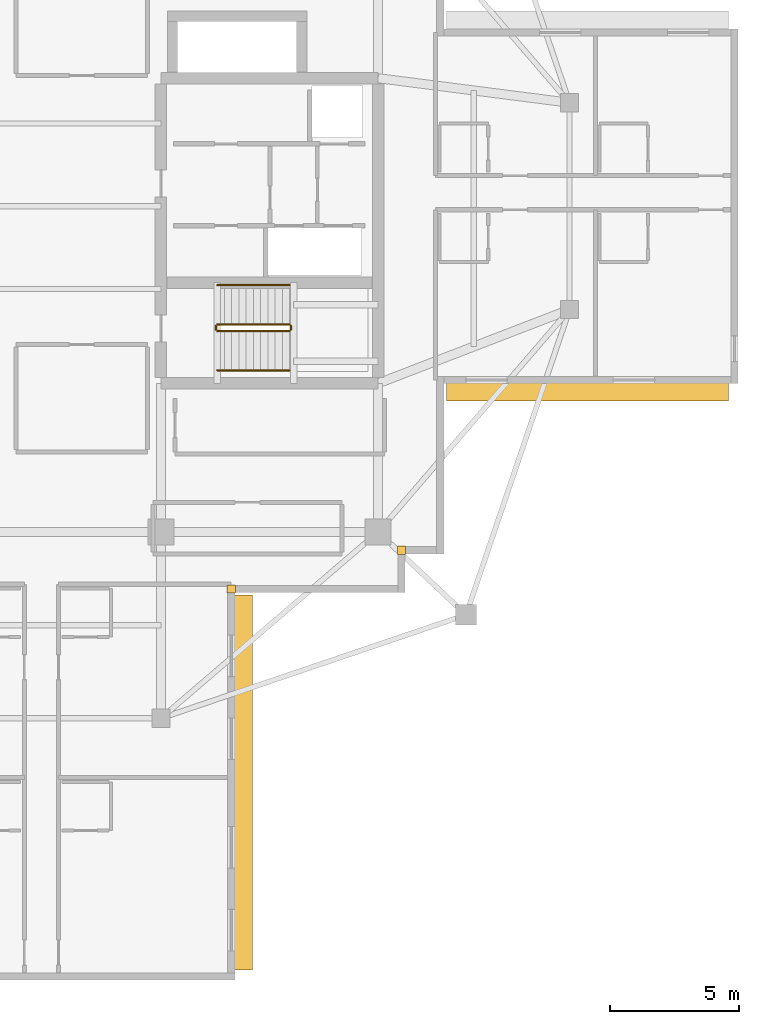
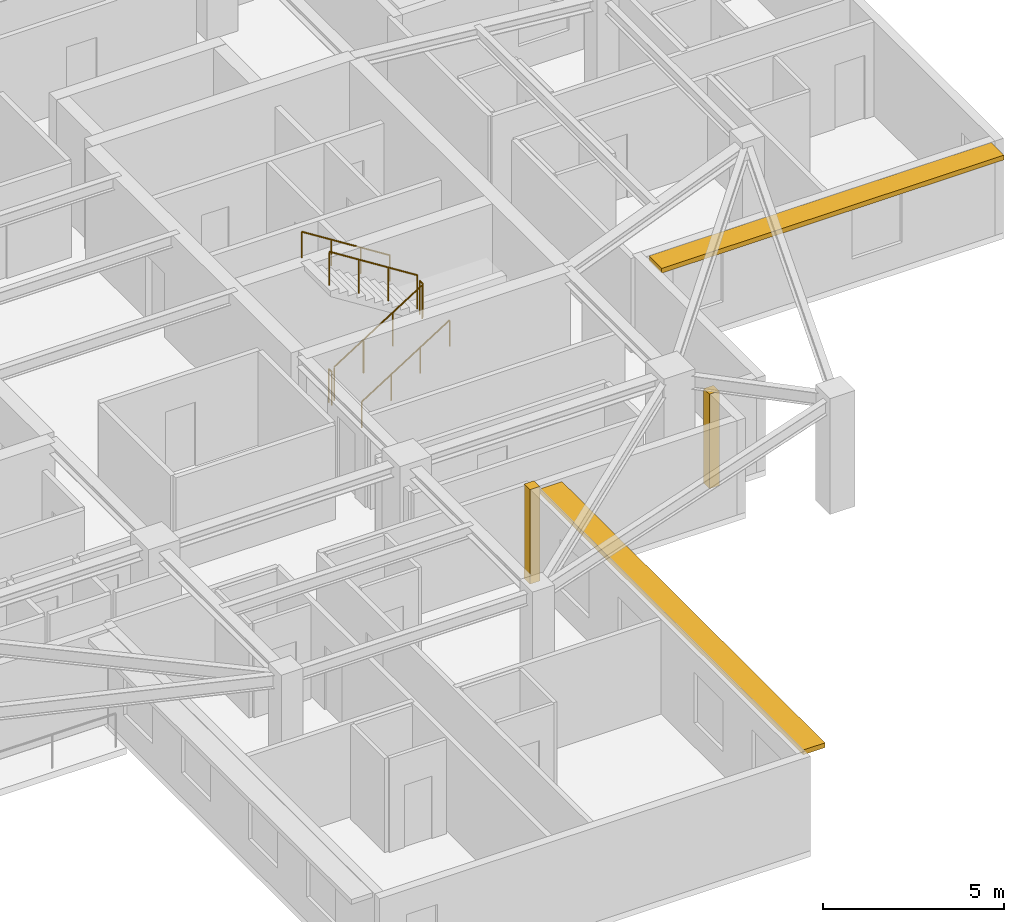
# One storey, part 10 of 12: 6 railings, 2 coverings, 2 shading devices.
"""IFC4 building model written with IfcOpenShell, lengths in metres."""

from ifc_helpers import new_model, si_unit, direction, frame, origin, origin_2d, place, context, subcontext, project, spatial, rectangle, circle, extrude, material, layer, layer_set, type_object, element, save


model = new_model("IFC4")

# Units and contexts
model_context = context("Model", 3, precision=1e-05, world=origin(), true_north=direction((0.0, 1.0)))
body_context = subcontext(model_context, "Body", "Model", "MODEL_VIEW")
ifc_project = project(units=[si_unit("LENGTHUNIT", "METRE"), si_unit("AREAUNIT", "SQUARE_METRE"), si_unit("VOLUMEUNIT", "CUBIC_METRE"), si_unit("PLANEANGLEUNIT", "RADIAN"), si_unit("MASSUNIT", "GRAM", prefix="KILO")], contexts=[model_context])

# Site, building, storey
site_placement = place(None, origin())
site = spatial("IfcSite", under=ifc_project, at=site_placement, CompositionType="ELEMENT")
building_placement = place(site_placement, origin())
building = spatial("IfcBuilding", under=site, at=building_placement, Name="Qingluan Cross Belvedere", CompositionType="ELEMENT")
storey_placement = place(building_placement, frame((0.0, 0.0, 265.5)))
storey = spatial("IfcBuildingStorey", under=building, at=storey_placement, Name="L66", CompositionType="ELEMENT", Elevation=265.5)

# Coverings
ifc_material_1 = material(Name="Precast concrete C45", Category="concrete")
ifc_layer_1 = layer(ifc_material_1, 0.1201171875, Name="ConcreteSpandrelCladding_120")
ifc_layer_set_1 = layer_set([ifc_layer_1], Name="Precast concrete C45")
covering_type = type_object("IfcCoveringType", Name="ConcreteSpandrelCladding_120", PredefinedType="CLADDING", material=ifc_layer_set_1)
for number, where, z_axis, x_axis, name in (
    (1, (13.300048828125, -13.300048828125, 0.0), (0.0, 0.0, 1.0), (1.0, 0.0, 0.0), "Corner closure L66-SE1"),
    (2, (6.719970703125, -14.800048828125, 0.0), (0.0, 0.0, 1.0), (1.0, 0.0, 0.0), "Corner closure L66-SE2"),
):
    element("IfcCovering", number, at=place(storey_placement, frame(where, z_axis=z_axis, x_axis=x_axis)), inside=storey, type_object=covering_type, Name=name, PredefinedType="CLADDING", context=body_context, shape_type="SweptSolid", body=[
        extrude(rectangle(XDim=0.320068359375, YDim=0.320068359375, at=origin_2d()), origin(), (0.0, 0.0, 1.0), 3.179931640625),
    ])

# Shading devices
ifc_material_2 = material(Name="Precast concrete C45", Category="concrete")
ifc_layer_2 = layer(ifc_material_2, 0.139892578125, Name="ConcreteSunshadeBand_700")
ifc_layer_set_2 = layer_set([ifc_layer_2], Name="Precast concrete C45")
shading_device_type = type_object("IfcShadingDeviceType", Name="ConcreteSunshadeBand_700", PredefinedType="USERDEFINED", material=ifc_layer_set_2)
shading_device_1_placement = place(storey_placement, frame((20.489990234375, -7.18994140625, 3.0), z_axis=(0.0, 0.0, 1.0), x_axis=(1.0, 0.0, 0.0)))
element("IfcShadingDevice", 3, at=shading_device_1_placement, inside=storey, type_object=shading_device_type, Name="Concrete SUNSHADE L66-EA", ObjectType="SUNSHADE", PredefinedType="USERDEFINED", context=body_context, shape_type="SweptSolid", body=[
    extrude(rectangle(XDim=10.89990234375, YDim=0.699951171875, at=origin_2d()), origin(), (0.0, 0.0, 1.0), 0.159912109375),
])
shading_device_2_placement = place(storey_placement, frame((7.18994140625, -22.2900390625, 3.0), z_axis=(0.0, 0.0, 1.0), x_axis=(0.0, 1.0, 0.0)))
element("IfcShadingDevice", 4, at=shading_device_2_placement, inside=storey, type_object=shading_device_type, Name="Concrete SUNSHADE L66-SB", ObjectType="SUNSHADE", PredefinedType="USERDEFINED", context=body_context, shape_type="SweptSolid", body=[
    extrude(rectangle(XDim=14.5, YDim=0.699951171875, at=origin_2d()), origin(), (0.0, 0.0, 1.0), 0.159912109375),
])

# Railings
ifc_material_3 = material(Name="Brushed stainless steel tubular handrail", Category="steel")
railing_type_1 = type_object("IfcRailingType", Name="StairPitchHandrail_900", PredefinedType="HANDRAIL", material=ifc_material_3)
railing_1_placement = place(storey_placement, frame((6.179931640625, -6.35009765625, 0.17724609375)))
element("IfcRailing", 5, at=railing_1_placement, inside=storey, type_object=railing_type_1, Name="L66 ST2 stair handrail 1", PredefinedType="HANDRAIL", context=body_context, shape_type="SweptSolid", body=[
    extrude(circle(Radius=0.02392578125, at=origin_2d()), frame((0.0, 0.0, 0.8759765625), z_axis=(0.844908973607, 0.0, 0.534910110503), x_axis=(0.0, 1.0, 0.0)), (0.0, 0.0, 1.0), 3.31396484375),
    extrude(circle(Radius=0.02099609375, at=origin_2d()), origin(), (0.0, 0.0, 1.0), 0.851806640625),
    extrude(circle(Radius=0.02099609375, at=origin_2d()), frame((0.933349609375, 0.0, 0.5908203125)), (0.0, 0.0, 1.0), 0.851806640625),
    extrude(circle(Radius=0.02099609375, at=origin_2d()), frame((1.86669921875, 0.0, 1.181884765625)), (0.0, 0.0, 1.0), 0.851806640625),
    extrude(circle(Radius=0.02099609375, at=origin_2d()), frame((2.800048828125, 0.0, 1.772705078125)), (0.0, 0.0, 1.0), 0.851806640625),
])
railing_2_placement = place(storey_placement, frame((8.97998046875, -3.050048828125, 2.127197265625)))
element("IfcRailing", 6, at=railing_2_placement, inside=storey, type_object=railing_type_1, Name="L66 ST2 stair handrail 2", PredefinedType="HANDRAIL", context=body_context, shape_type="SweptSolid", body=[
    extrude(circle(Radius=0.02392578125, at=origin_2d()), frame((0.0, 0.0, 0.8759765625), z_axis=(-0.844908973607, 0.0, 0.534910110503), x_axis=(0.0, -1.0, 0.0)), (0.0, 0.0, 1.0), 3.31396484375),
    extrude(circle(Radius=0.02099609375, at=origin_2d()), origin(), (0.0, 0.0, 1.0), 0.851806640625),
    extrude(circle(Radius=0.02099609375, at=origin_2d()), frame((-0.933349609375, 0.0, 0.5908203125)), (0.0, 0.0, 1.0), 0.851806640625),
    extrude(circle(Radius=0.02099609375, at=origin_2d()), frame((-1.86669921875, 0.0, 1.181884765625)), (0.0, 0.0, 1.0), 0.851806640625),
    extrude(circle(Radius=0.02099609375, at=origin_2d()), frame((-2.800048828125, 0.0, 1.772705078125)), (0.0, 0.0, 1.0), 0.851806640625),
])
ifc_material_4 = material(Name="Painted steel stair well guard", Category="steel")
railing_type_2 = type_object("IfcRailingType", Name="StairWellGuard_1150", PredefinedType="BALUSTRADE", material=ifc_material_4)
railing_3_placement = place(storey_placement, frame((6.179931640625, -4.830078125, 0.17724609375)))
element("IfcRailing", 7, at=railing_3_placement, inside=storey, type_object=railing_type_2, Name="L66 ST2 stair guard 1", PredefinedType="BALUSTRADE", context=body_context, shape_type="SweptSolid", body=[
    extrude(circle(Radius=0.02392578125, at=origin_2d()), frame((0.0, 0.0, 1.1259765625), z_axis=(0.844908973607, 0.0, 0.534910110503), x_axis=(0.0, 1.0, 0.0)), (0.0, 0.0, 1.0), 3.31396484375),
    extrude(circle(Radius=0.02099609375, at=origin_2d()), origin(), (0.0, 0.0, 1.0), 1.101806640625),
    extrude(circle(Radius=0.02099609375, at=origin_2d()), frame((0.933349609375, 0.0, 0.5908203125)), (0.0, 0.0, 1.0), 1.101806640625),
    extrude(circle(Radius=0.02099609375, at=origin_2d()), frame((1.86669921875, 0.0, 1.181884765625)), (0.0, 0.0, 1.0), 1.101806640625),
    extrude(circle(Radius=0.02099609375, at=origin_2d()), frame((2.800048828125, 0.0, 1.772705078125)), (0.0, 0.0, 1.0), 1.101806640625),
])
railing_4_placement = place(storey_placement, frame((9.030029296875, -4.780029296875, 1.949951171875)))
element("IfcRailing", 8, at=railing_4_placement, inside=storey, type_object=railing_type_2, Name="L66 ST2 stair guard 2", PredefinedType="BALUSTRADE", context=body_context, shape_type="SweptSolid", body=[
    extrude(circle(Radius=0.02392578125, at=origin_2d()), frame((0.0, 0.0, 1.1259765625), z_axis=(0.0, 1.0, 0.0), x_axis=(-1.0, 0.0, 0.0)), (0.0, 0.0, 1.0), 0.159912109375),
    extrude(circle(Radius=0.02099609375, at=origin_2d()), origin(), (0.0, 0.0, 1.0), 1.101806640625),
    extrude(circle(Radius=0.02099609375, at=origin_2d()), frame((0.0, 0.159912109375, 0.0)), (0.0, 0.0, 1.0), 1.101806640625),
])
railing_5_placement = place(storey_placement, frame((8.97998046875, -4.570068359375, 2.127197265625)))
element("IfcRailing", 9, at=railing_5_placement, inside=storey, type_object=railing_type_2, Name="L66 ST2 stair guard 3", PredefinedType="BALUSTRADE", context=body_context, shape_type="SweptSolid", body=[
    extrude(circle(Radius=0.02392578125, at=origin_2d()), frame((0.0, 0.0, 1.1259765625), z_axis=(-0.844908973607, 0.0, 0.534910110503), x_axis=(0.0, -1.0, 0.0)), (0.0, 0.0, 1.0), 3.31396484375),
    extrude(circle(Radius=0.02099609375, at=origin_2d()), origin(), (0.0, 0.0, 1.0), 1.101806640625),
    extrude(circle(Radius=0.02099609375, at=origin_2d()), frame((-0.933349609375, 0.0, 0.5908203125)), (0.0, 0.0, 1.0), 1.101806640625),
    extrude(circle(Radius=0.02099609375, at=origin_2d()), frame((-1.86669921875, 0.0, 1.181884765625)), (0.0, 0.0, 1.0), 1.101806640625),
    extrude(circle(Radius=0.02099609375, at=origin_2d()), frame((-2.800048828125, 0.0, 1.772705078125)), (0.0, 0.0, 1.0), 1.101806640625),
])
railing_6_placement = place(storey_placement, frame((6.1298828125, -4.780029296875, 0.0)))
element("IfcRailing", 10, at=railing_6_placement, inside=storey, type_object=railing_type_2, Name="L66 ST2 stair guard 4", PredefinedType="BALUSTRADE", context=body_context, shape_type="SweptSolid", body=[
    extrude(circle(Radius=0.02392578125, at=origin_2d()), frame((0.0, 0.0, 1.1259765625), z_axis=(0.0, 1.0, 0.0), x_axis=(-1.0, 0.0, 0.0)), (0.0, 0.0, 1.0), 0.159912109375),
    extrude(circle(Radius=0.02099609375, at=origin_2d()), origin(), (0.0, 0.0, 1.0), 1.101806640625),
    extrude(circle(Radius=0.02099609375, at=origin_2d()), frame((0.0, 0.159912109375, 0.0)), (0.0, 0.0, 1.0), 1.101806640625),
])

save(model, "model.ifc")
